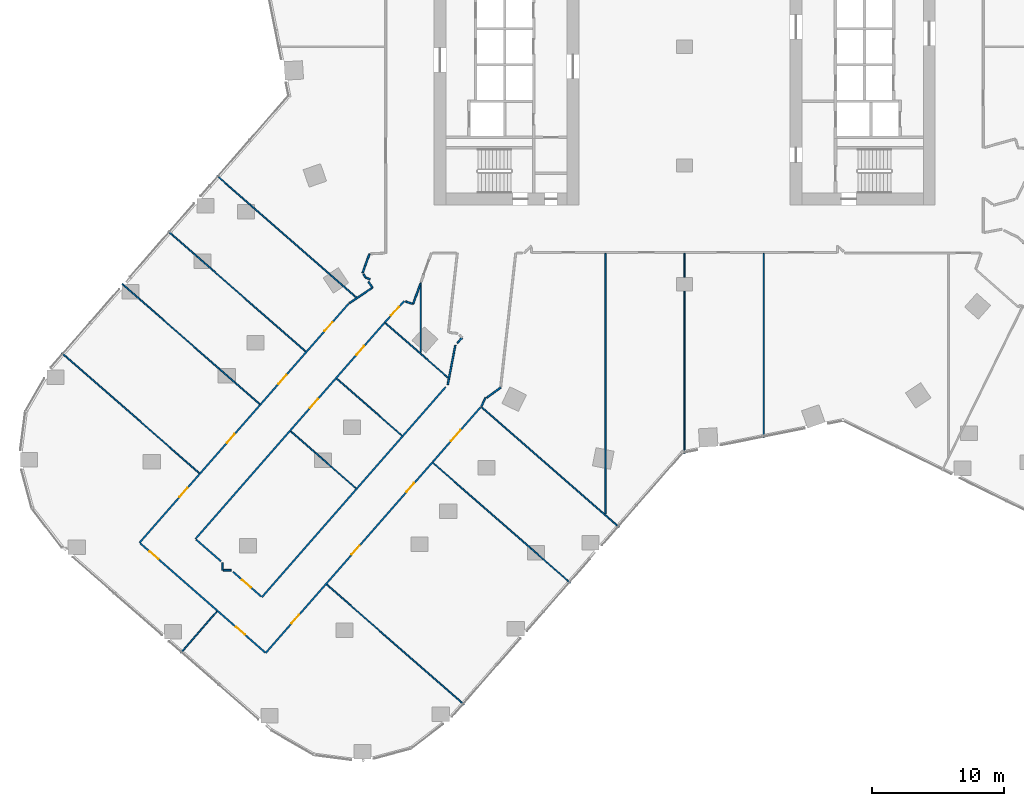
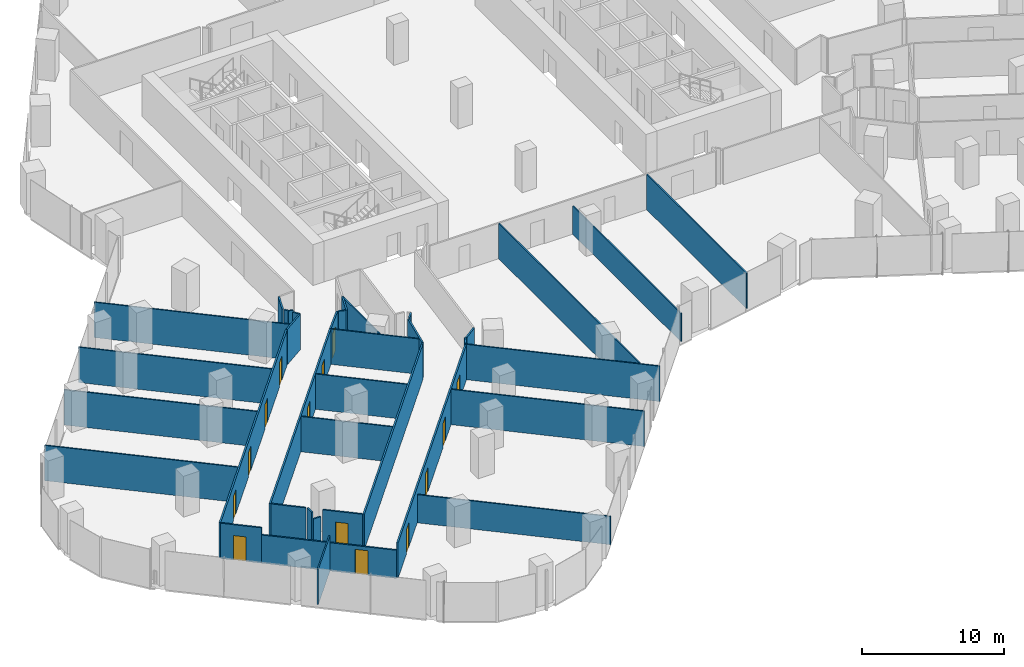
# One storey, part 26 of 38: 37 walls, 14 doors, 14 openings.
"""IFC4 building model written with IfcOpenShell, lengths in metres."""

import ifcopenshell
import ifcopenshell.guid

model = None  # the IFC model being written
_history = None  # IfcOwnerHistory: only IFC2X3 demands one
_inside = {}  # id of a spatial element -> (the spatial element, [elements in it])
_under = {}  # id of a project, library or spatial element -> (it, [spatial elements below it])
_declared = {}  # id of a project -> (the project, [libraries it declares])
_typed = {}  # id of a type object -> (the type object, [elements of that type])
_made_of = {}  # id of a material, layer set ... -> (it, [elements and type objects made of it])


def new_model(schema):
    """Start an empty IFC model of exactly this schema.

    Asked for "IFC4X3", IfcOpenShell would pick the latest addendum, in which some entities
    have other attributes; the version numbers below select the first issue.
    IFC2X3 requires an IfcOwnerHistory on every rooted entity: one is made here for all.
    """
    global model, _history
    if schema == "IFC4X3":
        model = ifcopenshell.file(schema_version=(4, 3, 0, 0))
    else:
        model = ifcopenshell.file(schema=schema)
    _inside.clear()
    _under.clear()
    _declared.clear()
    _typed.clear()
    _made_of.clear()
    _history = None
    if model.schema == "IFC2X3":
        org = make("IfcOrganization", Name="unknown")
        user = make(
            "IfcPersonAndOrganization",
            ThePerson=make("IfcPerson", FamilyName="unknown"),
            TheOrganization=org,
        )
        app = make(
            "IfcApplication",
            ApplicationDeveloper=org,
            Version="unknown",
            ApplicationFullName="unknown",
            ApplicationIdentifier="unknown",
        )
        _history = make(
            "IfcOwnerHistory",
            OwningUser=user,
            OwningApplication=app,
            ChangeAction="ADDED",
            CreationDate=0,
        )
    return model


def make(cls, **values):
    """One entity of the class cls with the attributes given. An attribute that is None is left unset."""
    return model.create_entity(
        cls, **{name: value for name, value in values.items() if value is not None}
    )


def rooted(cls, **values):
    """An entity with a GlobalId (a new one), such as an element, a storey or a relation."""
    return make(cls, GlobalId=ifcopenshell.guid.new(), OwnerHistory=_history, **values)


def si_unit(unit_type, name, prefix=None):
    """IfcSIUnit, for example si_unit("LENGTHUNIT", "METRE", prefix="MILLI")."""
    return make("IfcSIUnit", UnitType=unit_type, Prefix=prefix, Name=name)


def assignment(units):
    """IfcUnitAssignment: the units of a project."""
    return None if units is None else make("IfcUnitAssignment", Units=units)


def point(xyz):
    """IfcCartesianPoint."""
    return None if xyz is None else make("IfcCartesianPoint", Coordinates=xyz)


def direction(xyz):
    """IfcDirection."""
    return None if xyz is None else make("IfcDirection", DirectionRatios=xyz)


def frame(location, z_axis=None, x_axis=None):
    """IfcAxis2Placement3D, a coordinate frame: its origin and axes. An axis left out is left unset."""
    return make(
        "IfcAxis2Placement3D",
        Location=point(location),
        Axis=direction(z_axis),
        RefDirection=direction(x_axis),
    )


def frame_2d(location, x_axis=None):
    """IfcAxis2Placement2D, a coordinate frame in the plane: its origin and x axis."""
    return make(
        "IfcAxis2Placement2D", Location=point(location), RefDirection=direction(x_axis)
    )


def origin():
    """The frame at (0, 0, 0) with its axes left unset."""
    return frame((0.0, 0.0, 0.0))


def place(relative_to, where):
    """IfcLocalPlacement: puts the frame where relative to a parent placement (None: the world)."""
    return make(
        "IfcLocalPlacement", PlacementRelTo=relative_to, RelativePlacement=where
    )


def context(
    kind, dimensions, precision=None, world=None, true_north=None, identifier=None
):
    """IfcGeometricRepresentationContext, for example the 3D "Model" context."""
    return make(
        "IfcGeometricRepresentationContext",
        ContextIdentifier=identifier,
        ContextType=kind,
        CoordinateSpaceDimension=dimensions,
        Precision=precision,
        WorldCoordinateSystem=world,
        TrueNorth=true_north,
    )


def subcontext(parent, identifier, kind, view, scale=None):
    """IfcGeometricRepresentationSubContext, for example "Body" below "Model"."""
    return make(
        "IfcGeometricRepresentationSubContext",
        ContextIdentifier=identifier,
        ContextType=kind,
        ParentContext=parent,
        TargetScale=scale,
        TargetView=view,
    )


def project(units=None, contexts=None):
    """IfcProject with its units and contexts."""
    return rooted(
        "IfcProject",
        Name="project",
        RepresentationContexts=contexts,
        UnitsInContext=assignment(units),
    )


def spatial(cls, under=None, at=None, **own):
    """A site, building, storey or space (cls), placed at a placement, below another one or the project."""
    s = rooted(cls, ObjectPlacement=at, **own)
    if under is not None:
        _under.setdefault(under.id(), (under, []))[1].append(s)
    return s


def profile(cls, at=None, kind="AREA", **sizes):
    """A parametric profile (cls). Its sizes go by their IFC names, for example OverallWidth=200.0."""
    return make(cls, ProfileType=kind, Position=at, **sizes)


def rectangle(**sizes):
    """IfcRectangleProfileDef."""
    return profile("IfcRectangleProfileDef", **sizes)


def extrude(swept, where, along, depth):
    """IfcExtrudedAreaSolid: the profile swept, set in the frame where, extruded along a direction by depth."""
    return make(
        "IfcExtrudedAreaSolid",
        SweptArea=swept,
        Position=where,
        ExtrudedDirection=direction(along),
        Depth=depth,
    )


def shape(context_of_items, identifier, shape_type, items):
    """IfcShapeRepresentation: the items that make up one representation, for example the "Body"."""
    return make(
        "IfcShapeRepresentation",
        ContextOfItems=context_of_items,
        RepresentationIdentifier=identifier,
        RepresentationType=shape_type,
        Items=items,
    )


def material(Name=None, Category=None):
    """IfcMaterial."""
    return make("IfcMaterial", Name=Name, Category=Category)


def layer(
    of_material, thickness, ventilated=None, Name=None, Category=None, Priority=None
):
    """IfcMaterialLayer: one layer of a wall or slab, of a material (None: an air gap)."""
    return make(
        "IfcMaterialLayer",
        Material=of_material,
        LayerThickness=thickness,
        IsVentilated=ventilated,
        Name=Name,
        Category=Category,
        Priority=Priority,
    )


def layer_set(layers, Name=None):
    """IfcMaterialLayerSet."""
    return make("IfcMaterialLayerSet", MaterialLayers=layers, LayerSetName=Name)


def made_of(thing, what):
    """Note that an element or type object is made of a material, layer set ...; save() writes the relation."""
    if what is not None:
        _made_of.setdefault(what.id(), (what, []))[1].append(thing)
    return thing


def type_object(cls, material=None, **own):
    """A type object (cls), such as IfcWallType, which elements share."""
    return made_of(rooted(cls, **own), material)


def element(
    cls,
    number,
    at=None,
    inside=None,
    cuts=None,
    type_object=None,
    material=None,
    context=None,
    identifier="Body",
    shape_type=None,
    held_by="IfcProductDefinitionShape",
    body=None,
    shapes=None,
    **own,
):
    """One element of the class cls, such as IfcWall. Its Tag is "e" and its number.

    at: its placement. inside: the storey or other place that contains it. cuts: it is an
    opening in that element (IfcRelVoidsElement). A single representation is given by context,
    identifier, shape_type and body (its items); several are given by shapes. held_by: the class
    of the entity that holds the representations. save() writes the other relations.
    """
    e = rooted(cls, Tag="e%d" % number, ObjectPlacement=at, **own)
    if body is not None:
        shapes = [shape(context, identifier, shape_type, body)]
    if shapes is not None:
        e.Representation = make(held_by, Representations=shapes)
    if inside is not None:
        _inside.setdefault(inside.id(), (inside, []))[1].append(e)
    if cuts is not None:
        rooted(
            "IfcRelVoidsElement", RelatingBuildingElement=cuts, RelatedOpeningElement=e
        )
    if type_object is not None:
        _typed.setdefault(type_object.id(), (type_object, []))[1].append(e)
    return made_of(e, material)


def fill(opening, filler):
    """IfcRelFillsElement: the door or window that sits in an opening."""
    return rooted(
        "IfcRelFillsElement",
        RelatingOpeningElement=opening,
        RelatedBuildingElement=filler,
    )


def aggregate(whole, parts):
    """IfcRelAggregates: a whole, such as a stair, and the parts it consists of."""
    return rooted("IfcRelAggregates", RelatingObject=whole, RelatedObjects=parts)


def save(model, path):
    """Write the relations noted so far, then the file.

    IfcRelAggregates (storeys below a building ...), IfcRelContainedInSpatialStructure (elements
    in a storey), IfcRelDefinesByType, IfcRelAssociatesMaterial and IfcRelDeclares: one each for
    every whole, place, type object, material and project.
    """
    for whole, parts in _under.values():
        aggregate(whole, parts)
    for where, things in _inside.values():
        rooted(
            "IfcRelContainedInSpatialStructure",
            RelatedElements=things,
            RelatingStructure=where,
        )
    for kind, things in _typed.values():
        rooted("IfcRelDefinesByType", RelatedObjects=things, RelatingType=kind)
    for what, things in _made_of.values():
        rooted("IfcRelAssociatesMaterial", RelatedObjects=things, RelatingMaterial=what)
    for by, libraries in _declared.values():
        rooted("IfcRelDeclares", RelatingContext=by, RelatedDefinitions=libraries)
    model.write(path)


model = new_model("IFC4")

# Units and contexts
model_context = context("Model", 3, precision=1e-05, world=origin(), true_north=direction((0.0, 1.0)))
body_context = subcontext(model_context, "Body", "Model", "MODEL_VIEW")
ifc_project = project(units=[si_unit("LENGTHUNIT", "METRE"), si_unit("AREAUNIT", "SQUARE_METRE"), si_unit("VOLUMEUNIT", "CUBIC_METRE"), si_unit("PLANEANGLEUNIT", "RADIAN"), si_unit("MASSUNIT", "GRAM", prefix="KILO")], contexts=[model_context])

# Site, building, storey
site_placement = place(None, origin())
site = spatial("IfcSite", under=ifc_project, at=site_placement, CompositionType="ELEMENT")
building_placement = place(site_placement, origin())
building = spatial("IfcBuilding", under=site, at=building_placement, Name="Orlundy Tower", CompositionType="ELEMENT")
storey_placement = place(building_placement, frame((0.0, 0.0, 69.300048828125)))
storey = spatial("IfcBuildingStorey", under=building, at=storey_placement, Name="L16", CompositionType="ELEMENT", Elevation=69.300048828125)

# Walls
ifc_material_1 = material(Name="Gypsum board partition")
ifc_layer_1 = layer(ifc_material_1, 0.10009765625)
ifc_layer_set_1 = layer_set([ifc_layer_1], Name="Floor partition 100")
wall_type_1 = type_object("IfcWallType", Name="Floor partition 100", PredefinedType="PARTITIONING", material=ifc_layer_set_1)
wall_1_placement = place(storey_placement, frame((-47.201904296875, -23.218994140625, 0.0), z_axis=(0.0, 0.0, 1.0), x_axis=(0.752795260656, -0.658254734531, 0.0)))
element("IfcWall", 1, at=wall_1_placement, inside=storey, type_object=wall_type_1, Name="wall-int-L16-014", PredefinedType="PARTITIONING", context=body_context, shape_type="SweptSolid", body=[
    extrude(rectangle(XDim=13.83642578125, YDim=0.10009765625, at=frame_2d((6.918212890625, 0.0))), origin(), (0.0, 0.0, 1.0), 3.030029296875),
])
wall_2_placement = place(storey_placement, frame((-42.6279296875, -17.987060546875, 0.0), z_axis=(0.0, 0.0, 1.0), x_axis=(0.752825840036, -0.65821976161, 0.0)))
element("IfcWall", 2, at=wall_2_placement, inside=storey, type_object=wall_type_1, Name="wall-int-L16-016", PredefinedType="PARTITIONING", context=body_context, shape_type="SweptSolid", body=[
    extrude(rectangle(XDim=13.837158203125, YDim=0.10009765625, at=frame_2d((6.91845703125, 0.0))), origin(), (0.0, 0.0, 1.0), 3.030029296875),
])
wall_3_placement = place(storey_placement, frame((-29.85791015625, -29.153076171875, 0.0), z_axis=(0.0, 0.0, 1.0), x_axis=(0.752836606275, -0.658207447734, 0.0)))
element("IfcWall", 3, at=wall_3_placement, inside=storey, type_object=wall_type_1, Name="wall-int-L16-017", PredefinedType="PARTITIONING", context=body_context, shape_type="SweptSolid", body=[
    extrude(rectangle(XDim=6.57373046875, YDim=0.10009765625, at=frame_2d((3.286865234375, 0.0))), origin(), (0.0, 0.0, 1.0), 3.030029296875),
])
wall_4_placement = place(storey_placement, frame((-39.138916015625, -13.9970703125, 0.0), z_axis=(0.0, 0.0, 1.0), x_axis=(0.752825840036, -0.65821976161, 0.0)))
element("IfcWall", 4, at=wall_4_placement, inside=storey, type_object=wall_type_1, Name="wall-int-L16-018", PredefinedType="PARTITIONING", context=body_context, shape_type="SweptSolid", body=[
    extrude(rectangle(XDim=13.837158203125, YDim=0.10009765625, at=frame_2d((6.91845703125, 0.0))), origin(), (0.0, 0.0, 1.0), 3.030029296875),
])
wall_5_placement = place(storey_placement, frame((-26.368896484375, -25.1630859375, 0.0), z_axis=(0.0, 0.0, 1.0), x_axis=(0.752836606275, -0.658207447734, 0.0)))
element("IfcWall", 5, at=wall_5_placement, inside=storey, type_object=wall_type_1, Name="wall-int-L16-019", PredefinedType="PARTITIONING", context=body_context, shape_type="SweptSolid", body=[
    extrude(rectangle(XDim=6.57373046875, YDim=0.10009765625, at=frame_2d((3.286865234375, 0.0))), origin(), (0.0, 0.0, 1.0), 3.030029296875),
])
wall_6_placement = place(storey_placement, frame((-19.06689453125, -31.548095703125, 0.0), z_axis=(0.0, 0.0, 1.0), x_axis=(0.752795260656, -0.658254734531, 0.0)))
element("IfcWall", 6, at=wall_6_placement, inside=storey, type_object=wall_type_1, Name="wall-int-L16-020", PredefinedType="PARTITIONING", context=body_context, shape_type="SweptSolid", body=[
    extrude(rectangle(XDim=13.83642578125, YDim=0.10009765625, at=frame_2d((6.918212890625, 0.0))), origin(), (0.0, 0.0, 1.0), 3.030029296875),
])
wall_7_placement = place(storey_placement, frame((-35.447998046875, -9.77587890625, 0.0), z_axis=(0.0, 0.0, 1.0), x_axis=(0.752752526875, -0.658303602666, 0.0)))
element("IfcWall", 7, at=wall_7_placement, inside=storey, type_object=wall_type_1, Name="wall-int-L16-021", PredefinedType="PARTITIONING", context=body_context, shape_type="SweptSolid", body=[
    extrude(rectangle(XDim=14.017822265625, YDim=0.10009765625, at=frame_2d((7.0087890625, 0.0))), origin(), (0.0, 0.0, 1.0), 3.030029296875),
])
wall_8_placement = place(storey_placement, frame((-22.677978515625, -20.94189453125, 0.0), z_axis=(0.0, 0.0, 1.0), x_axis=(0.752857732361, -0.658183283611, 0.0)))
element("IfcWall", 8, at=wall_8_placement, inside=storey, type_object=wall_type_1, Name="wall-int-L16-022", PredefinedType="PARTITIONING", context=body_context, shape_type="SweptSolid", body=[
    extrude(rectangle(XDim=6.294677734375, YDim=0.10009765625, at=frame_2d((3.1474609375, 0.0))), origin(), (0.0, 0.0, 1.0), 3.030029296875),
])
wall_9_placement = place(storey_placement, frame((-15.364013671875, -27.337890625, 0.0), z_axis=(0.0, 0.0, 1.0), x_axis=(0.75280535981, -0.658243184729, 0.0)))
element("IfcWall", 9, at=wall_9_placement, inside=storey, type_object=wall_type_1, Name="wall-int-L16-023", PredefinedType="PARTITIONING", context=body_context, shape_type="SweptSolid", body=[
    extrude(rectangle(XDim=13.8203125, YDim=0.10009765625, at=frame_2d((6.91015625, 0.0))), origin(), (0.0, 0.0, 1.0), 3.030029296875),
])
wall_10_placement = place(storey_placement, frame((-38.201904296875, -45.966064453125, 0.0), z_axis=(0.0, 0.0, 1.0), x_axis=(0.658203200775, 0.752840319384, 0.0)))
element("IfcWall", 10, at=wall_10_placement, inside=storey, type_object=wall_type_1, Name="wall-int-L16-067", PredefinedType="PARTITIONING", context=body_context, shape_type="SweptSolid", body=[
    extrude(rectangle(XDim=4.18701171875, YDim=0.10009765625, at=frame_2d((2.093505859375, 0.0))), origin(), (0.0, 0.0, 1.0), 3.030029296875),
])
wall_11_placement = place(storey_placement, frame((6.0, -29.64892578125, 0.0), z_axis=(0.0, 0.0, 1.0), x_axis=(0.0, 1.0, 0.0)))
element("IfcWall", 11, at=wall_11_placement, inside=storey, type_object=wall_type_1, Name="wall-int-L16-097", PredefinedType="PARTITIONING", context=body_context, shape_type="SweptSolid", body=[
    extrude(rectangle(XDim=13.98681640625, YDim=0.10009765625, at=frame_2d((6.993408203125, 0.0))), origin(), (0.0, 0.0, 1.0), 3.030029296875),
])
wall_12_placement = place(storey_placement, frame((-6.0, -35.416015625, 0.0), z_axis=(0.0, 0.0, 1.0), x_axis=(0.0, 1.0, 0.0)))
element("IfcWall", 12, at=wall_12_placement, inside=storey, type_object=wall_type_1, Name="wall-int-L16-099", PredefinedType="PARTITIONING", context=body_context, shape_type="SweptSolid", body=[
    extrude(rectangle(XDim=19.75390625, YDim=0.10009765625, at=frame_2d((9.876953125, 0.0))), origin(), (0.0, 0.0, 1.0), 3.030029296875),
])
wall_13_placement = place(storey_placement, frame((-20.0, -23.174072265625, 0.0), z_axis=(0.0, 0.0, 1.0), x_axis=(0.0, 1.0, 0.0)))
element("IfcWall", 13, at=wall_13_placement, inside=storey, type_object=wall_type_1, Name="wall-int-L16-101", PredefinedType="PARTITIONING", context=body_context, shape_type="SweptSolid", body=[
    extrude(rectangle(XDim=5.274169921875, YDim=0.10009765625, at=frame_2d((2.63720703125, 0.0))), origin(), (0.0, 0.0, 1.0), 3.030029296875),
])
ifc_material_2 = material(Name="Gypsum board partition")
ifc_layer_2 = layer(ifc_material_2, 0.10009765625)
ifc_layer_set_2 = layer_set([ifc_layer_2], Name="Floor partition 100 B")
wall_type_2 = type_object("IfcWallType", Name="Floor partition 100 B", PredefinedType="PARTITIONING", material=ifc_layer_set_2)
wall_14_placement = place(storey_placement, frame((-27.1298828125, -40.77099609375, 0.0), z_axis=(0.0, 0.0, 1.0), x_axis=(0.752792007078, -0.65825845538, 0.0)))
element("IfcWall", 14, at=wall_14_placement, inside=storey, type_object=wall_type_2, Name="wall-int-L16-015", PredefinedType="PARTITIONING", context=body_context, shape_type="SweptSolid", body=[
    extrude(rectangle(XDim=13.8349609375, YDim=0.10009765625, at=frame_2d((6.91748046875, 0.0))), origin(), (0.0, 0.0, 1.0), 2.4189453125),
])
wall_15_placement = place(storey_placement, frame((0.0, -30.85107421875, 0.0), z_axis=(0.0, 0.0, 1.0), x_axis=(0.0, 1.0, 0.0)))
element("IfcWall", 15, at=wall_15_placement, inside=storey, type_object=wall_type_2, Name="wall-int-L16-098", PredefinedType="PARTITIONING", context=body_context, shape_type="SweptSolid", body=[
    extrude(rectangle(XDim=15.18896484375, YDim=0.10009765625, at=frame_2d((7.594482421875, 0.0))), origin(), (0.0, 0.0, 1.0), 2.4189453125),
])
ifc_material_3 = material(Name="Gypsum board partition, double layer")
ifc_layer_3 = layer(ifc_material_3, 0.125)
ifc_layer_set_3 = layer_set([ifc_layer_3], Name="Floor partition 125")
wall_type_3 = type_object("IfcWallType", Name="Floor partition 125", PredefinedType="PARTITIONING", material=ifc_layer_set_3)
wall_16_placement = place(storey_placement, frame((-24.337890625, -17.2529296875, 0.0), z_axis=(0.0, 0.0, 1.0), x_axis=(0.55580542013, -0.831312417178, 0.0)))
element("IfcWall", 16, at=wall_16_placement, inside=storey, type_object=wall_type_3, Name="wall-int-L16-003", PredefinedType="PARTITIONING", context=body_context, shape_type="SweptSolid", body=[
    extrude(rectangle(XDim=0.3056640625, YDim=0.125, at=frame_2d((0.15283203125, 0.0))), origin(), (0.0, 0.0, 1.0), 3.030029296875),
])
wall_17_placement = place(storey_placement, frame((-23.965087890625, -17.81005859375, 0.0), z_axis=(0.0, 0.0, 1.0), x_axis=(0.55613676815, -0.831090786323, 0.0)))
element("IfcWall", 17, at=wall_17_placement, inside=storey, type_object=wall_type_3, Name="wall-int-L16-004", PredefinedType="PARTITIONING", context=body_context, shape_type="SweptSolid", body=[
    extrude(rectangle(XDim=0.548828125, YDim=0.125, at=frame_2d((0.2744140625, 0.0))), origin(), (0.0, 0.0, 1.0), 3.030029296875),
])
wall_18_placement = place(storey_placement, frame((-37.031982421875, -37.35791015625, 0.0), z_axis=(0.0, 0.0, 1.0), x_axis=(0.752691127314, -0.658373804812, 0.0)))
element("IfcWall", 18, at=wall_18_placement, inside=storey, type_object=wall_type_3, Name="wall-int-L16-012", PredefinedType="PARTITIONING", context=body_context, shape_type="SweptSolid", body=[
    extrude(rectangle(XDim=2.5107421875, YDim=0.125, at=frame_2d((1.25537109375, 0.0))), origin(), (0.0, 0.0, 1.0), 3.030029296875),
])

# Wall, opening, door
wall_19_placement = place(storey_placement, frame((-34.239013671875, -39.801025390625, 0.0), z_axis=(0.0, 0.0, 1.0), x_axis=(0.753004386547, -0.658015496657, 0.0)))
wall_19 = element("IfcWall", 19, at=wall_19_placement, inside=storey, type_object=wall_type_3, Name="wall-int-L16-013", PredefinedType="PARTITIONING", context=body_context, shape_type="SweptSolid", body=[
    extrude(rectangle(XDim=2.86328125, YDim=0.125, at=frame_2d((1.431640625, 0.0))), origin(), (0.0, 0.0, 1.0), 3.030029296875),
])
opening_1_placement = place(wall_19_placement, frame((0.93359375, 0.0, 0.0)))
opening_1 = element("IfcOpeningElement", 20, at=opening_1_placement, cuts=wall_19, Name="Opening 14115", PredefinedType="OPENING", context=body_context, shape_type="SweptSolid", body=[
    extrude(rectangle(XDim=0.89990234375, YDim=2.10009765625, at=frame_2d((0.449951171875, 1.050048828125))), frame((0.0, 0.072509765625, 0.0), z_axis=(0.0, -1.0, 0.0), x_axis=(1.0, 0.0, 0.0)), (0.0, 0.0, 1.0), 0.14501953125),
])
ifc_material_4 = material(Name="Timber door leaf", Category="wood")
door_type_1 = type_object("IfcDoorType", Name="Floor door single 900 FD30S", OperationType="NOTDEFINED", PredefinedType="DOOR", material=ifc_material_4)
door_1_placement = place(opening_1_placement, origin())
door_1 = element("IfcDoor", 21, at=door_1_placement, inside=storey, type_object=door_type_1, Name="Door 14115", OperationType="SINGLE_SWING_LEFT", OverallHeight=2.10009765625, OverallWidth=0.89990234375, PredefinedType="DOOR", context=body_context, shape_type="SweptSolid", body=[
    extrude(rectangle(XDim=0.89990234375, YDim=2.10009765625, at=frame_2d((0.449951171875, 1.050048828125))), frame((0.0, 0.02490234375, 0.0), z_axis=(0.0, -1.0, 0.0), x_axis=(1.0, 0.0, 0.0)), (0.0, 0.0, 1.0), 0.050048828125),
])
fill(opening_1, door_1)

wall_20_placement = place(storey_placement, frame((-39.054931640625, -39.574951171875, 0.0), z_axis=(0.0, 0.0, 1.0), x_axis=(-0.753045000135, 0.657969017334, 0.0)))
wall_20 = element("IfcWall", 22, at=wall_20_placement, inside=storey, type_object=wall_type_3, Name="wall-int-L16-024", PredefinedType="PARTITIONING", context=body_context, shape_type="SweptSolid", body=[
    extrude(rectangle(XDim=2.9375, YDim=0.125, at=frame_2d((1.46875, 0.0))), origin(), (0.0, 0.0, 1.0), 3.030029296875),
])
opening_2_placement = place(wall_20_placement, frame((1.10009765625, 0.0, 0.0)))
opening_2 = element("IfcOpeningElement", 23, at=opening_2_placement, cuts=wall_20, Name="Opening 14118", PredefinedType="OPENING", context=body_context, shape_type="SweptSolid", body=[
    extrude(rectangle(XDim=0.89990234375, YDim=2.10009765625, at=frame_2d((0.449951171875, 1.050048828125))), frame((0.0, 0.072509765625, 0.0), z_axis=(0.0, -1.0, 0.0), x_axis=(1.0, 0.0, 0.0)), (0.0, 0.0, 1.0), 0.14501953125),
])
door_2_placement = place(opening_2_placement, origin())
door_2 = element("IfcDoor", 24, at=door_2_placement, inside=storey, type_object=door_type_1, Name="Door 14118", OperationType="SINGLE_SWING_RIGHT", OverallHeight=2.10009765625, OverallWidth=0.89990234375, PredefinedType="DOOR", context=body_context, shape_type="SweptSolid", body=[
    extrude(rectangle(XDim=0.89990234375, YDim=2.10009765625, at=frame_2d((0.449951171875, 1.050048828125))), frame((0.0, 0.02490234375, 0.0), z_axis=(0.0, -1.0, 0.0), x_axis=(1.0, 0.0, 0.0)), (0.0, 0.0, 1.0), 0.050048828125),
])
fill(opening_2, door_2)

# Walls
wall_21_placement = place(storey_placement, frame((-21.15087890625, -19.30810546875, 0.0), z_axis=(0.0, 0.0, 1.0), x_axis=(0.940956165673, -0.33852842463, 0.0)))
element("IfcWall", 25, at=wall_21_placement, inside=storey, type_object=wall_type_3, Name="wall-int-L16-038", PredefinedType="PARTITIONING", context=body_context, shape_type="SweptSolid", body=[
    extrude(rectangle(XDim=0.54296875, YDim=0.125, at=frame_2d((0.271484375, 0.0))), origin(), (0.0, 0.0, 1.0), 3.030029296875),
])
wall_22_placement = place(storey_placement, frame((-24.16796875, -17.507080078125, 0.0), z_axis=(0.0, 0.0, 1.0), x_axis=(0.94089620512, -0.338695041579, 0.0)))
element("IfcWall", 26, at=wall_22_placement, inside=storey, type_object=wall_type_3, Name="wall-int-L16-039", PredefinedType="PARTITIONING", context=body_context, shape_type="SweptSolid", body=[
    extrude(rectangle(XDim=0.35400390625, YDim=0.125, at=frame_2d((0.177001953125, 0.0))), origin(), (0.0, 0.0, 1.0), 3.030029296875),
])
wall_23_placement = place(storey_placement, frame((-14.99609375, -26.60888671875, 0.0), z_axis=(0.0, 0.0, 1.0), x_axis=(0.806577539033, 0.591128305469, 0.0)))
element("IfcWall", 27, at=wall_23_placement, inside=storey, type_object=wall_type_3, Name="wall-int-L16-040", PredefinedType="PARTITIONING", context=body_context, shape_type="SweptSolid", body=[
    extrude(rectangle(XDim=1.30419921875, YDim=0.125, at=frame_2d((0.652099609375, 0.0))), origin(), (0.0, 0.0, 1.0), 3.030029296875),
])
wall_24_placement = place(storey_placement, frame((-23.659912109375, -18.26611328125, 0.0), z_axis=(0.0, 0.0, 1.0), x_axis=(-0.83066036782, -0.556779447658, 0.0)))
element("IfcWall", 28, at=wall_24_placement, inside=storey, type_object=wall_type_3, Name="wall-int-L16-058", PredefinedType="PARTITIONING", context=body_context, shape_type="SweptSolid", body=[
    extrude(rectangle(XDim=2.11181640625, YDim=0.125, at=frame_2d((1.055908203125, 0.0))), origin(), (0.0, 0.0, 1.0), 3.030029296875),
])

# Wall, opening, door
wall_25_placement = place(storey_placement, frame((-21.239013671875, -19.27587890625, 0.0), z_axis=(0.0, 0.0, 1.0), x_axis=(-0.67486064048, -0.737945198461, 0.0)))
wall_25 = element("IfcWall", 29, at=wall_25_placement, inside=storey, type_object=wall_type_3, Name="wall-int-L16-061", PredefinedType="PARTITIONING", context=body_context, shape_type="SweptSolid", body=[
    extrude(rectangle(XDim=2.2021484375, YDim=0.125, at=frame_2d((1.10107421875, 0.0))), origin(), (0.0, 0.0, 1.0), 3.030029296875),
])
opening_3_placement = place(wall_25_placement, frame((0.60009765625, 0.0, 0.0)))
opening_3 = element("IfcOpeningElement", 30, at=opening_3_placement, cuts=wall_25, Name="Opening 14123", PredefinedType="OPENING", context=body_context, shape_type="SweptSolid", body=[
    extrude(rectangle(XDim=0.89990234375, YDim=2.10009765625, at=frame_2d((0.449951171875, 1.050048828125))), frame((0.0, 0.072509765625, 0.0), z_axis=(0.0, -1.0, 0.0), x_axis=(1.0, 0.0, 0.0)), (0.0, 0.0, 1.0), 0.14501953125),
])
door_3_placement = place(opening_3_placement, origin())
door_3 = element("IfcDoor", 31, at=door_3_placement, inside=storey, type_object=door_type_1, Name="Door 14123", OperationType="SINGLE_SWING_LEFT", OverallHeight=2.10009765625, OverallWidth=0.89990234375, PredefinedType="DOOR", context=body_context, shape_type="SweptSolid", body=[
    extrude(rectangle(XDim=0.89990234375, YDim=2.10009765625, at=frame_2d((0.449951171875, 1.050048828125))), frame((0.0, 0.02490234375, 0.0), z_axis=(0.0, -1.0, 0.0), x_axis=(1.0, 0.0, 0.0)), (0.0, 0.0, 1.0), 0.050048828125),
])
fill(opening_3, door_3)

# Wall
wall_26_placement = place(storey_placement, frame((-17.22802734375, -22.468994140625, 0.0), z_axis=(0.0, 0.0, 1.0), x_axis=(0.664256182607, 0.747504999226, 0.0)))
element("IfcWall", 32, at=wall_26_placement, inside=storey, type_object=wall_type_3, Name="wall-int-L16-064", PredefinedType="PARTITIONING", context=body_context, shape_type="SweptSolid", body=[
    extrude(rectangle(XDim=0.56298828125, YDim=0.125, at=frame_2d((0.281494140625, 0.0))), origin(), (0.0, 0.0, 1.0), 3.030029296875),
])

# Wall, openings, doors
wall_27_placement = place(storey_placement, frame((-15.464111328125, -27.3330078125, 0.0), z_axis=(0.0, 0.0, 1.0), x_axis=(-0.658239133646, -0.752808902004, 0.0)))
wall_27 = element("IfcWall", 33, at=wall_27_placement, inside=storey, type_object=wall_type_3, Name="wall-int-L16-065", PredefinedType="PARTITIONING", context=body_context, shape_type="SweptSolid", body=[
    extrude(rectangle(XDim=24.74462890625, YDim=0.125, at=frame_2d((12.372314453125, 0.0))), origin(), (0.0, 0.0, 1.0), 3.030029296875),
])
opening_4_placement = place(wall_27_placement, frame((2.28759765625, 0.0, 0.0)))
opening_4 = element("IfcOpeningElement", 34, at=opening_4_placement, cuts=wall_27, Name="Opening 14109", PredefinedType="OPENING", context=body_context, shape_type="SweptSolid", body=[
    extrude(rectangle(XDim=1.10009765625, YDim=2.10009765625, at=frame_2d((0.550048828125, 1.050048828125))), frame((0.0, 0.072509765625, 0.0), z_axis=(0.0, -1.0, 0.0), x_axis=(1.0, 0.0, 0.0)), (0.0, 0.0, 1.0), 0.14501953125),
])
opening_5_placement = place(wall_27_placement, frame((13.9443359375, 0.0, 0.0)))
opening_5 = element("IfcOpeningElement", 35, at=opening_5_placement, cuts=wall_27, Name="Opening 14110", PredefinedType="OPENING", context=body_context, shape_type="SweptSolid", body=[
    extrude(rectangle(XDim=0.89990234375, YDim=2.10009765625, at=frame_2d((0.449951171875, 1.050048828125))), frame((0.0, 0.072509765625, 0.0), z_axis=(0.0, -1.0, 0.0), x_axis=(1.0, 0.0, 0.0)), (0.0, 0.0, 1.0), 0.14501953125),
])
opening_6_placement = place(wall_27_placement, frame((7.6455078125, 0.0, 0.0)))
opening_6 = element("IfcOpeningElement", 36, at=opening_6_placement, cuts=wall_27, Name="Opening 14111", PredefinedType="OPENING", context=body_context, shape_type="SweptSolid", body=[
    extrude(rectangle(XDim=0.89990234375, YDim=2.10009765625, at=frame_2d((0.449951171875, 1.050048828125))), frame((0.0, 0.072509765625, 0.0), z_axis=(0.0, -1.0, 0.0), x_axis=(1.0, 0.0, 0.0)), (0.0, 0.0, 1.0), 0.14501953125),
])
opening_7_placement = place(wall_27_placement, frame((20.89453125, 0.0, 0.0)))
opening_7 = element("IfcOpeningElement", 37, at=opening_7_placement, cuts=wall_27, Name="Opening 14117", PredefinedType="OPENING", context=body_context, shape_type="SweptSolid", body=[
    extrude(rectangle(XDim=0.89990234375, YDim=2.10009765625, at=frame_2d((0.449951171875, 1.050048828125))), frame((0.0, 0.072509765625, 0.0), z_axis=(0.0, -1.0, 0.0), x_axis=(1.0, 0.0, 0.0)), (0.0, 0.0, 1.0), 0.14501953125),
])
door_4_placement = place(opening_5_placement, origin())
door_4 = element("IfcDoor", 38, at=door_4_placement, inside=storey, type_object=door_type_1, Name="Door 14110", OperationType="SINGLE_SWING_RIGHT", OverallHeight=2.10009765625, OverallWidth=0.89990234375, PredefinedType="DOOR", context=body_context, shape_type="SweptSolid", body=[
    extrude(rectangle(XDim=0.89990234375, YDim=2.10009765625, at=frame_2d((0.449951171875, 1.050048828125))), frame((0.0, 0.02490234375, 0.0), z_axis=(0.0, -1.0, 0.0), x_axis=(1.0, 0.0, 0.0)), (0.0, 0.0, 1.0), 0.050048828125),
])
fill(opening_5, door_4)
door_5_placement = place(opening_6_placement, origin())
door_5 = element("IfcDoor", 39, at=door_5_placement, inside=storey, type_object=door_type_1, Name="Door 14111", OperationType="SINGLE_SWING_LEFT", OverallHeight=2.10009765625, OverallWidth=0.89990234375, PredefinedType="DOOR", context=body_context, shape_type="SweptSolid", body=[
    extrude(rectangle(XDim=0.89990234375, YDim=2.10009765625, at=frame_2d((0.449951171875, 1.050048828125))), frame((0.0, 0.02490234375, 0.0), z_axis=(0.0, -1.0, 0.0), x_axis=(1.0, 0.0, 0.0)), (0.0, 0.0, 1.0), 0.050048828125),
])
fill(opening_6, door_5)
door_6_placement = place(opening_7_placement, origin())
door_6 = element("IfcDoor", 40, at=door_6_placement, inside=storey, type_object=door_type_1, Name="Door 14117", OperationType="SINGLE_SWING_RIGHT", OverallHeight=2.10009765625, OverallWidth=0.89990234375, PredefinedType="DOOR", context=body_context, shape_type="SweptSolid", body=[
    extrude(rectangle(XDim=0.89990234375, YDim=2.10009765625, at=frame_2d((0.449951171875, 1.050048828125))), frame((0.0, 0.02490234375, 0.0), z_axis=(0.0, -1.0, 0.0), x_axis=(1.0, 0.0, 0.0)), (0.0, 0.0, 1.0), 0.050048828125),
])
fill(opening_7, door_6)
ifc_material_5 = material(Name="Timber door leaf", Category="wood")
door_type_2 = type_object("IfcDoorType", Name="Floor door xwide 1100 FD30S", OperationType="NOTDEFINED", PredefinedType="DOOR", material=ifc_material_5)
door_7_placement = place(opening_4_placement, origin())
door_7 = element("IfcDoor", 41, at=door_7_placement, inside=storey, type_object=door_type_2, Name="Door 14109", OperationType="SINGLE_SWING_LEFT", OverallHeight=2.10009765625, OverallWidth=1.10009765625, PredefinedType="DOOR", context=body_context, shape_type="SweptSolid", body=[
    extrude(rectangle(XDim=1.10009765625, YDim=2.10009765625, at=frame_2d((0.550048828125, 1.050048828125))), frame((0.0, 0.02490234375, 0.0), z_axis=(0.0, -1.0, 0.0), x_axis=(1.0, 0.0, 0.0)), (0.0, 0.0, 1.0), 0.050048828125),
])
fill(opening_4, door_7)

# Wall
wall_28_placement = place(storey_placement, frame((-32.035888671875, -41.72607421875, 0.0), z_axis=(0.0, 0.0, 1.0), x_axis=(0.658231851406, 0.752815269369, 0.0)))
element("IfcWall", 42, at=wall_28_placement, inside=storey, type_object=wall_type_3, Name="wall-int-L16-066", PredefinedType="PARTITIONING", context=body_context, shape_type="SweptSolid", body=[
    extrude(rectangle(XDim=21.168701171875, YDim=0.125, at=frame_2d((10.58447265625, 0.0))), origin(), (0.0, 0.0, 1.0), 3.030029296875),
])

# Wall, openings, doors
wall_29_placement = place(storey_placement, frame((-22.736083984375, -20.9130859375, 0.0), z_axis=(0.0, 0.0, 1.0), x_axis=(-0.658236458127, -0.752811241409, 0.0)))
wall_29 = element("IfcWall", 43, at=wall_29_placement, inside=storey, type_object=wall_type_3, Name="wall-int-L16-068", PredefinedType="PARTITIONING", context=body_context, shape_type="SweptSolid", body=[
    extrude(rectangle(XDim=21.7900390625, YDim=0.125, at=frame_2d((10.89501953125, 0.0))), origin(), (0.0, 0.0, 1.0), 3.030029296875),
])
opening_8_placement = place(wall_29_placement, frame((2.35009765625, 0.0, 0.0)))
opening_8 = element("IfcOpeningElement", 44, at=opening_8_placement, cuts=wall_29, Name="Opening 14112", PredefinedType="OPENING", context=body_context, shape_type="SweptSolid", body=[
    extrude(rectangle(XDim=0.89990234375, YDim=2.10009765625, at=frame_2d((0.449951171875, 1.050048828125))), frame((0.0, 0.072509765625, 0.0), z_axis=(0.0, -1.0, 0.0), x_axis=(1.0, 0.0, 0.0)), (0.0, 0.0, 1.0), 0.14501953125),
])
opening_9_placement = place(wall_29_placement, frame((7.69091796875, 0.0, 0.0)))
opening_9 = element("IfcOpeningElement", 45, at=opening_9_placement, cuts=wall_29, Name="Opening 14113", PredefinedType="OPENING", context=body_context, shape_type="SweptSolid", body=[
    extrude(rectangle(XDim=0.89990234375, YDim=2.10009765625, at=frame_2d((0.449951171875, 1.050048828125))), frame((0.0, 0.072509765625, 0.0), z_axis=(0.0, -1.0, 0.0), x_axis=(1.0, 0.0, 0.0)), (0.0, 0.0, 1.0), 0.14501953125),
])
door_8_placement = place(opening_8_placement, origin())
door_8 = element("IfcDoor", 46, at=door_8_placement, inside=storey, type_object=door_type_1, Name="Door 14112", OperationType="SINGLE_SWING_LEFT", OverallHeight=2.10009765625, OverallWidth=0.89990234375, PredefinedType="DOOR", context=body_context, shape_type="SweptSolid", body=[
    extrude(rectangle(XDim=0.89990234375, YDim=2.10009765625, at=frame_2d((0.449951171875, 1.050048828125))), frame((0.0, 0.02490234375, 0.0), z_axis=(0.0, -1.0, 0.0), x_axis=(1.0, 0.0, 0.0)), (0.0, 0.0, 1.0), 0.050048828125),
])
fill(opening_8, door_8)
door_9_placement = place(opening_9_placement, origin())
door_9 = element("IfcDoor", 47, at=door_9_placement, inside=storey, type_object=door_type_1, Name="Door 14113", OperationType="SINGLE_SWING_LEFT", OverallHeight=2.10009765625, OverallWidth=0.89990234375, PredefinedType="DOOR", context=body_context, shape_type="SweptSolid", body=[
    extrude(rectangle(XDim=0.89990234375, YDim=2.10009765625, at=frame_2d((0.449951171875, 1.050048828125))), frame((0.0, 0.02490234375, 0.0), z_axis=(0.0, -1.0, 0.0), x_axis=(1.0, 0.0, 0.0)), (0.0, 0.0, 1.0), 0.050048828125),
])
fill(opening_9, door_9)

wall_30_placement = place(storey_placement, frame((-41.31396484375, -37.60009765625, 0.0), z_axis=(0.0, 0.0, 1.0), x_axis=(0.658340906106, 0.752719902319, 0.0)))
wall_30 = element("IfcWall", 48, at=wall_30_placement, inside=storey, type_object=wall_type_3, Name="wall-int-L16-069", PredefinedType="PARTITIONING", context=body_context, shape_type="SweptSolid", body=[
    extrude(rectangle(XDim=24.075439453125, YDim=0.125, at=frame_2d((12.03759765625, 0.0))), origin(), (0.0, 0.0, 1.0), 3.030029296875),
])
opening_10_placement = place(wall_30_placement, frame((10.050048828125, 0.0, 0.0)))
opening_10 = element("IfcOpeningElement", 49, at=opening_10_placement, cuts=wall_30, Name="Opening 14114", PredefinedType="OPENING", context=body_context, shape_type="SweptSolid", body=[
    extrude(rectangle(XDim=0.89990234375, YDim=2.10009765625, at=frame_2d((0.449951171875, 1.050048828125))), frame((0.0, 0.072509765625, 0.0), z_axis=(0.0, -1.0, 0.0), x_axis=(1.0, 0.0, 0.0)), (0.0, 0.0, 1.0), 0.14501953125),
])
opening_11_placement = place(wall_30_placement, frame((4.599853515625, 0.0, 0.0)))
opening_11 = element("IfcOpeningElement", 50, at=opening_11_placement, cuts=wall_30, Name="Opening 14119", PredefinedType="OPENING", context=body_context, shape_type="SweptSolid", body=[
    extrude(rectangle(XDim=0.89990234375, YDim=2.10009765625, at=frame_2d((0.449951171875, 1.050048828125))), frame((0.0, 0.072509765625, 0.0), z_axis=(0.0, -1.0, 0.0), x_axis=(1.0, 0.0, 0.0)), (0.0, 0.0, 1.0), 0.14501953125),
])
opening_12_placement = place(wall_30_placement, frame((21.300537109375, 0.0, 0.0)))
opening_12 = element("IfcOpeningElement", 51, at=opening_12_placement, cuts=wall_30, Name="Opening 14120", PredefinedType="OPENING", context=body_context, shape_type="SweptSolid", body=[
    extrude(rectangle(XDim=0.89990234375, YDim=2.10009765625, at=frame_2d((0.449951171875, 1.050048828125))), frame((0.0, 0.072509765625, 0.0), z_axis=(0.0, -1.0, 0.0), x_axis=(1.0, 0.0, 0.0)), (0.0, 0.0, 1.0), 0.14501953125),
])
opening_13_placement = place(wall_30_placement, frame((16.000244140625, 0.0, 0.0)))
opening_13 = element("IfcOpeningElement", 52, at=opening_13_placement, cuts=wall_30, Name="Opening 14121", PredefinedType="OPENING", context=body_context, shape_type="SweptSolid", body=[
    extrude(rectangle(XDim=0.89990234375, YDim=2.10009765625, at=frame_2d((0.449951171875, 1.050048828125))), frame((0.0, 0.072509765625, 0.0), z_axis=(0.0, -1.0, 0.0), x_axis=(1.0, 0.0, 0.0)), (0.0, 0.0, 1.0), 0.14501953125),
])
door_10_placement = place(opening_10_placement, origin())
door_10 = element("IfcDoor", 53, at=door_10_placement, inside=storey, type_object=door_type_1, Name="Door 14114", OperationType="SINGLE_SWING_LEFT", OverallHeight=2.10009765625, OverallWidth=0.89990234375, PredefinedType="DOOR", context=body_context, shape_type="SweptSolid", body=[
    extrude(rectangle(XDim=0.89990234375, YDim=2.10009765625, at=frame_2d((0.449951171875, 1.050048828125))), frame((0.0, 0.02490234375, 0.0), z_axis=(0.0, -1.0, 0.0), x_axis=(1.0, 0.0, 0.0)), (0.0, 0.0, 1.0), 0.050048828125),
])
fill(opening_10, door_10)
door_11_placement = place(opening_11_placement, origin())
door_11 = element("IfcDoor", 54, at=door_11_placement, inside=storey, type_object=door_type_1, Name="Door 14119", OperationType="SINGLE_SWING_LEFT", OverallHeight=2.10009765625, OverallWidth=0.89990234375, PredefinedType="DOOR", context=body_context, shape_type="SweptSolid", body=[
    extrude(rectangle(XDim=0.89990234375, YDim=2.10009765625, at=frame_2d((0.449951171875, 1.050048828125))), frame((0.0, 0.02490234375, 0.0), z_axis=(0.0, -1.0, 0.0), x_axis=(1.0, 0.0, 0.0)), (0.0, 0.0, 1.0), 0.050048828125),
])
fill(opening_11, door_11)
door_12_placement = place(opening_12_placement, origin())
door_12 = element("IfcDoor", 55, at=door_12_placement, inside=storey, type_object=door_type_1, Name="Door 14120", OperationType="SINGLE_SWING_RIGHT", OverallHeight=2.10009765625, OverallWidth=0.89990234375, PredefinedType="DOOR", context=body_context, shape_type="SweptSolid", body=[
    extrude(rectangle(XDim=0.89990234375, YDim=2.10009765625, at=frame_2d((0.449951171875, 1.050048828125))), frame((0.0, 0.02490234375, 0.0), z_axis=(0.0, -1.0, 0.0), x_axis=(1.0, 0.0, 0.0)), (0.0, 0.0, 1.0), 0.050048828125),
])
fill(opening_12, door_12)
door_13_placement = place(opening_13_placement, origin())
door_13 = element("IfcDoor", 56, at=door_13_placement, inside=storey, type_object=door_type_1, Name="Door 14121", OperationType="SINGLE_SWING_RIGHT", OverallHeight=2.10009765625, OverallWidth=0.89990234375, PredefinedType="DOOR", context=body_context, shape_type="SweptSolid", body=[
    extrude(rectangle(XDim=0.89990234375, YDim=2.10009765625, at=frame_2d((0.449951171875, 1.050048828125))), frame((0.0, 0.02490234375, 0.0), z_axis=(0.0, -1.0, 0.0), x_axis=(1.0, 0.0, 0.0)), (0.0, 0.0, 1.0), 0.050048828125),
])
fill(opening_13, door_13)

# Walls
wall_31_placement = place(storey_placement, frame((-15.405029296875, -27.26611328125, 0.0), z_axis=(0.0, 0.0, 1.0), x_axis=(0.435199770088, 0.900333915897, 0.0)))
element("IfcWall", 57, at=wall_31_placement, inside=storey, type_object=wall_type_3, Name="wall-int-L16-082", PredefinedType="PARTITIONING", context=body_context, shape_type="SweptSolid", body=[
    extrude(rectangle(XDim=0.7421875, YDim=0.125, at=frame_2d((0.37109375, 0.0))), origin(), (0.0, 0.0, 1.0), 3.030029296875),
])
wall_32_placement = place(storey_placement, frame((-20.580078125, -19.512939453125, 0.0), z_axis=(0.0, 0.0, 1.0), x_axis=(0.338137852557, 0.941096590509, 0.0)))
element("IfcWall", 58, at=wall_32_placement, inside=storey, type_object=wall_type_3, Name="wall-int-L16-084", PredefinedType="PARTITIONING", context=body_context, shape_type="SweptSolid", body=[
    extrude(rectangle(XDim=1.6650390625, YDim=0.125, at=frame_2d((0.83251953125, 0.0))), origin(), (0.0, 0.0, 1.0), 3.030029296875),
])
wall_33_placement = place(storey_placement, frame((-24.406982421875, -17.14990234375, 0.0), z_axis=(0.0, 0.0, 1.0), x_axis=(0.338354498813, 0.941018720926, 0.0)))
element("IfcWall", 59, at=wall_33_placement, inside=storey, type_object=wall_type_3, Name="wall-int-L16-085", PredefinedType="PARTITIONING", context=body_context, shape_type="SweptSolid", body=[
    extrude(rectangle(XDim=1.539794921875, YDim=0.125, at=frame_2d((0.77001953125, 0.0))), origin(), (0.0, 0.0, 1.0), 3.030029296875),
])
wall_34_placement = place(storey_placement, frame((-17.949951171875, -25.616943359375, 0.0), z_axis=(0.0, 0.0, 1.0), x_axis=(0.188644670049, 0.982045410591, 0.0)))
element("IfcWall", 60, at=wall_34_placement, inside=storey, type_object=wall_type_3, Name="wall-int-L16-087", PredefinedType="PARTITIONING", context=body_context, shape_type="SweptSolid", body=[
    extrude(rectangle(XDim=3.037353515625, YDim=0.125, at=frame_2d((1.5185546875, 0.0))), origin(), (0.0, 0.0, 1.0), 3.030029296875),
])
wall_35_placement = place(storey_placement, frame((-35.037109375, -39.68994140625, 0.0), z_axis=(0.0, 0.0, 1.0), x_axis=(0.0, 1.0, 0.0)))
element("IfcWall", 61, at=wall_35_placement, inside=storey, type_object=wall_type_3, Name="wall-int-L16-104", PredefinedType="PARTITIONING", context=body_context, shape_type="SweptSolid", body=[
    extrude(rectangle(XDim=0.587890625, YDim=0.125, at=frame_2d((0.2939453125, 0.0))), origin(), (0.0, 0.0, 1.0), 3.030029296875),
])

# Wall, opening, door
ifc_material_6 = material(Name="Gypsum board partition, double layer")
ifc_layer_4 = layer(ifc_material_6, 0.125)
ifc_layer_set_4 = layer_set([ifc_layer_4], Name="Floor partition 125 B")
wall_type_4 = type_object("IfcWallType", Name="Floor partition 125 B", PredefinedType="PARTITIONING", material=ifc_layer_set_4)
wall_36_placement = place(storey_placement, frame((-31.798095703125, -45.9208984375, 0.0), z_axis=(0.0, 0.0, 1.0), x_axis=(-0.752771196542, 0.658282253792, 0.0)))
wall_36 = element("IfcWall", 62, at=wall_36_placement, inside=storey, type_object=wall_type_4, Name="wall-int-L16-011", PredefinedType="PARTITIONING", context=body_context, shape_type="SweptSolid", body=[
    extrude(rectangle(XDim=9.64013671875, YDim=0.125, at=frame_2d((4.820068359375, 0.0))), origin(), (0.0, 0.0, 1.0), 2.4189453125),
])
opening_14_placement = place(wall_36_placement, frame((2.039794921875, 0.0, 0.0)))
opening_14 = element("IfcOpeningElement", 63, at=opening_14_placement, cuts=wall_36, Name="Opening 14116", PredefinedType="OPENING", context=body_context, shape_type="SweptSolid", body=[
    extrude(rectangle(XDim=0.89990234375, YDim=2.10009765625, at=frame_2d((0.449951171875, 1.050048828125))), frame((0.0, 0.072509765625, 0.0), z_axis=(0.0, -1.0, 0.0), x_axis=(1.0, 0.0, 0.0)), (0.0, 0.0, 1.0), 0.14501953125),
])
door_14_placement = place(opening_14_placement, origin())
door_14 = element("IfcDoor", 64, at=door_14_placement, inside=storey, type_object=door_type_1, Name="Door 14116", OperationType="SINGLE_SWING_LEFT", OverallHeight=2.10009765625, OverallWidth=0.89990234375, PredefinedType="DOOR", context=body_context, shape_type="SweptSolid", body=[
    extrude(rectangle(XDim=0.89990234375, YDim=2.10009765625, at=frame_2d((0.449951171875, 1.050048828125))), frame((0.0, 0.02490234375, 0.0), z_axis=(0.0, -1.0, 0.0), x_axis=(1.0, 0.0, 0.0)), (0.0, 0.0, 1.0), 0.050048828125),
])
fill(opening_14, door_14)

# Wall
wall_37_placement = place(storey_placement, frame((-34.97412109375, -39.68994140625, 0.0), z_axis=(0.0, 0.0, 1.0), x_axis=(1.0, 0.0, 0.0)))
element("IfcWall", 65, at=wall_37_placement, inside=storey, type_object=wall_type_4, Name="wall-int-L16-044", PredefinedType="PARTITIONING", context=body_context, shape_type="SweptSolid", body=[
    extrude(rectangle(XDim=0.609130859375, YDim=0.125, at=frame_2d((0.3046875, 0.0))), origin(), (0.0, 0.0, 1.0), 2.4189453125),
])

save(model, "model.ifc")
